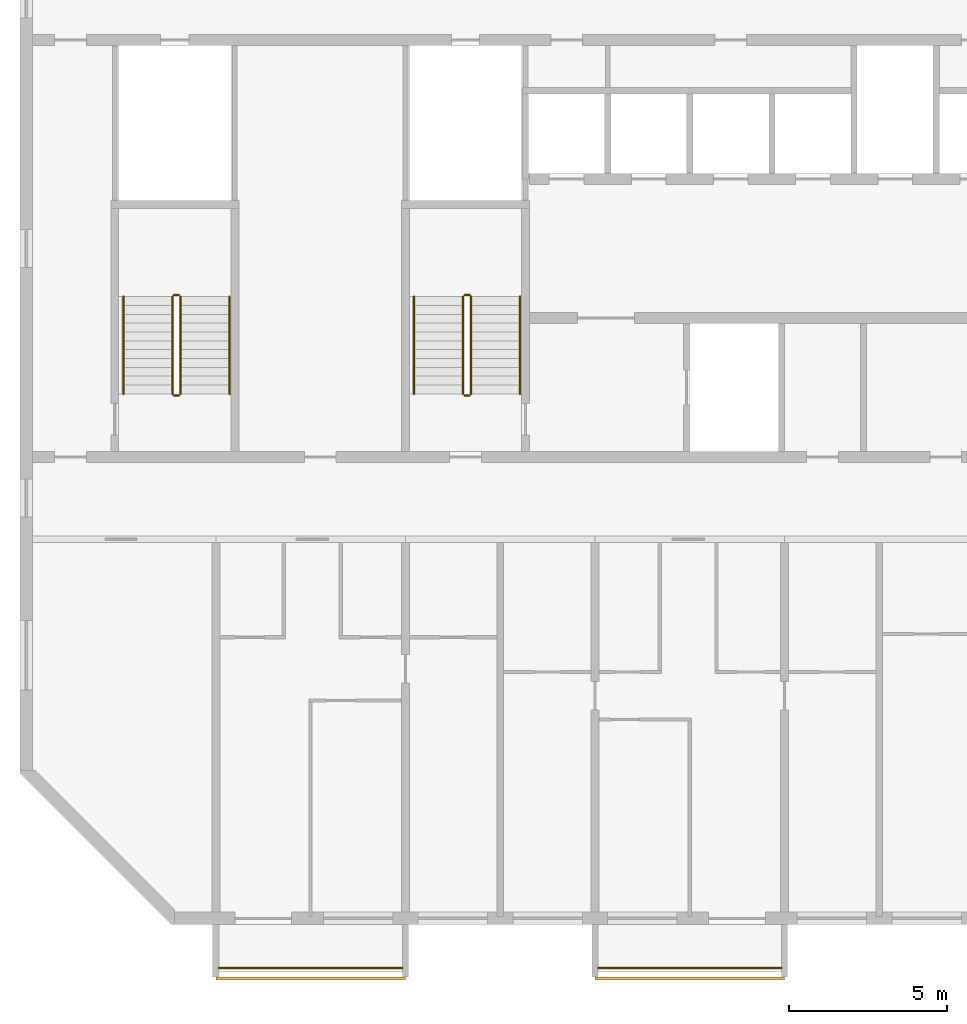
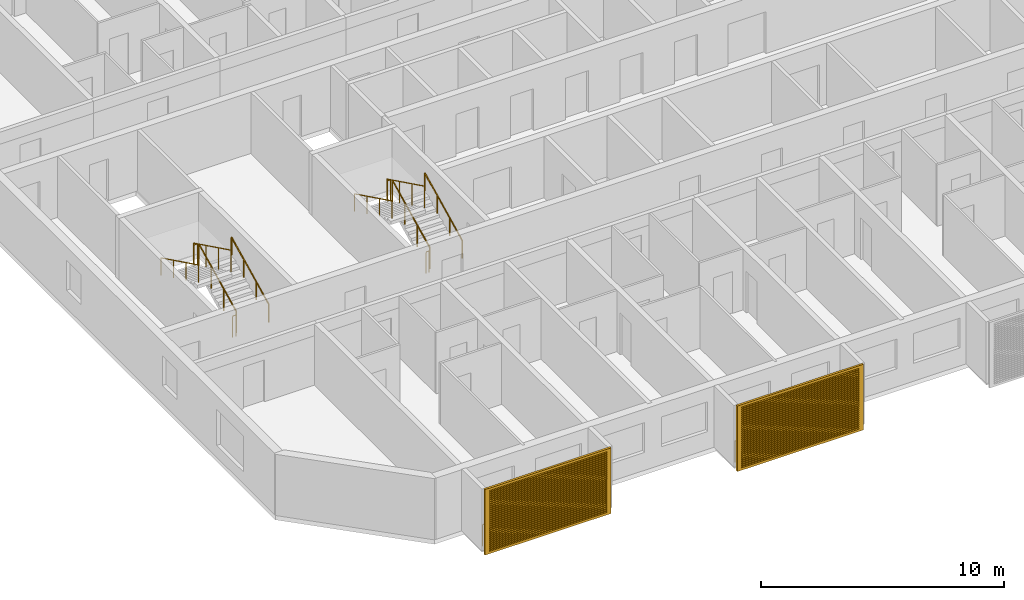
# One storey, part 13 of 29: 14 railings, 2 shading devices.
"""IFC4 building model written with IfcOpenShell, lengths in metres."""

from ifc_helpers import new_model, si_unit, direction, frame, origin, origin_2d, place, context, subcontext, project, spatial, polyline, circle, outline, extrude, source, transform, mapped, material, material_profile, profile_set, type_object, element, save


model = new_model("IFC4")

# Units and contexts
model_context = context("Model", 3, precision=1e-05, world=origin(), true_north=direction((0.0, 1.0)))
body_context = subcontext(model_context, "Body", "Model", "MODEL_VIEW")
ifc_project = project(units=[si_unit("LENGTHUNIT", "METRE"), si_unit("AREAUNIT", "SQUARE_METRE"), si_unit("VOLUMEUNIT", "CUBIC_METRE"), si_unit("PLANEANGLEUNIT", "RADIAN"), si_unit("MASSUNIT", "GRAM", prefix="KILO")], contexts=[model_context])

# Site, building, storey
site_placement = place(None, origin())
site = spatial("IfcSite", under=ifc_project, at=site_placement, CompositionType="ELEMENT")
building_placement = place(site_placement, origin())
building = spatial("IfcBuilding", under=site, at=building_placement, Name="Poui Terraces", CompositionType="ELEMENT")
storey_placement = place(building_placement, frame((0.0, 0.0, 231.300048828125)))
storey = spatial("IfcBuildingStorey", under=building, at=storey_placement, Name="L64", CompositionType="ELEMENT", Elevation=231.300048828125)

# Railings
ifc_material_1 = material(Name="Painted steel fretwork", Category="steel")
railing_type_1 = type_object("IfcRailingType", Name="BALCONY GUARD 1100", PredefinedType="GUARDRAIL", material=ifc_material_1)
for number, where, name in (
    (1, (24.10009765625, -1.570068359375, 0.0), "BALCONY GUARD"),
    (2, (36.10009765625, -1.570068359375, 0.0), "BALCONY GUARD"),
):
    element("IfcRailing", number, at=place(storey_placement, frame(where)), inside=storey, type_object=railing_type_1, Name=name, PredefinedType="GUARDRAIL", context=body_context, shape_type="SweptSolid", body=[
        extrude(circle(Radius=0.02392578125, at=origin_2d()), frame((0.0, 0.0, 1.076171875), z_axis=(1.0, 0.0, 0.0), x_axis=(0.0, 1.0, 0.0)), (0.0, 0.0, 1.0), 5.7998046875),
        extrude(circle(Radius=0.02099609375, at=origin_2d()), origin(), (0.0, 0.0, 1.0), 1.052001953125),
        extrude(circle(Radius=0.02099609375, at=origin_2d()), frame((0.966552734375, 0.0, 0.0)), (0.0, 0.0, 1.0), 1.052001953125),
        extrude(circle(Radius=0.02099609375, at=origin_2d()), frame((1.933349609375, 0.0, 0.0)), (0.0, 0.0, 1.0), 1.052001953125),
        extrude(circle(Radius=0.02099609375, at=origin_2d()), frame((2.89990234375, 0.0, 0.0)), (0.0, 0.0, 1.0), 1.052001953125),
        extrude(circle(Radius=0.02099609375, at=origin_2d()), frame((3.866455078125, 0.0, 0.0)), (0.0, 0.0, 1.0), 1.052001953125),
        extrude(circle(Radius=0.02099609375, at=origin_2d()), frame((4.833251953125, 0.0, 0.0)), (0.0, 0.0, 1.0), 1.052001953125),
        extrude(circle(Radius=0.02099609375, at=origin_2d()), frame((5.7998046875, 0.0, 0.0)), (0.0, 0.0, 1.0), 1.052001953125),
    ])
ifc_material_2 = material(Name="Galvanised steel balustrade", Category="steel")
railing_type_2 = type_object("IfcRailingType", Name="STAIR GUARD 1100", PredefinedType="GUARDRAIL", material=ifc_material_2)
railing_1_placement = place(storey_placement, frame((32.074951171875, 16.60009765625, 0.137451171875)))
element("IfcRailing", 3, at=railing_1_placement, inside=storey, type_object=railing_type_2, Name="L64 ST-CW stair guard 1", PredefinedType="GUARDRAIL", context=body_context, shape_type="SweptSolid", body=[
    extrude(circle(Radius=0.02392578125, at=origin_2d()), frame((0.0, 0.0, 1.076171875), z_axis=(0.0, 0.897606190399, 0.440798283751), x_axis=(-1.0, 0.0, 0.0)), (0.0, 0.0, 1.0), 3.43115234375),
    extrude(circle(Radius=0.02099609375, at=origin_2d()), origin(), (0.0, 0.0, 1.0), 1.052001953125),
    extrude(circle(Radius=0.02099609375, at=origin_2d()), frame((0.0, 1.026611328125, 0.504150390625)), (0.0, 0.0, 1.0), 1.052001953125),
    extrude(circle(Radius=0.02099609375, at=origin_2d()), frame((0.0, 2.05322265625, 1.00830078125)), (0.0, 0.0, 1.0), 1.052001953125),
    extrude(circle(Radius=0.02099609375, at=origin_2d()), frame((0.0, 3.079833984375, 1.512451171875)), (0.0, 0.0, 1.0), 1.052001953125),
])
railing_2_placement = place(storey_placement, frame((32.02490234375, 19.72998046875, 1.64990234375)))
element("IfcRailing", 4, at=railing_2_placement, inside=storey, type_object=railing_type_2, Name="L64 ST-CW stair guard 2", PredefinedType="GUARDRAIL", context=body_context, shape_type="SweptSolid", body=[
    extrude(circle(Radius=0.02392578125, at=origin_2d()), frame((0.0, 0.0, 1.076171875), z_axis=(-1.0, 0.0, 0.0), x_axis=(0.0, -1.0, 0.0)), (0.0, 0.0, 1.0), 0.14990234375),
    extrude(circle(Radius=0.02099609375, at=origin_2d()), origin(), (0.0, 0.0, 1.0), 1.052001953125),
    extrude(circle(Radius=0.02099609375, at=origin_2d()), frame((-0.14990234375, 0.0, 0.0)), (0.0, 0.0, 1.0), 1.052001953125),
])
railing_3_placement = place(storey_placement, frame((31.824951171875, 19.679931640625, 1.787353515625)))
element("IfcRailing", 5, at=railing_3_placement, inside=storey, type_object=railing_type_2, Name="L64 ST-CW stair guard 3", PredefinedType="GUARDRAIL", context=body_context, shape_type="SweptSolid", body=[
    extrude(circle(Radius=0.02392578125, at=origin_2d()), frame((0.0, 0.0, 1.076171875), z_axis=(0.0, -0.897578036475, 0.440855609512), x_axis=(1.0, 0.0, 0.0)), (0.0, 0.0, 1.0), 3.43115234375),
    extrude(circle(Radius=0.02099609375, at=origin_2d()), origin(), (0.0, 0.0, 1.0), 1.052001953125),
    extrude(circle(Radius=0.02099609375, at=origin_2d()), frame((0.0, -1.026611328125, 0.504150390625)), (0.0, 0.0, 1.0), 1.052001953125),
    extrude(circle(Radius=0.02099609375, at=origin_2d()), frame((0.0, -2.05322265625, 1.008544921875)), (0.0, 0.0, 1.0), 1.052001953125),
    extrude(circle(Radius=0.02099609375, at=origin_2d()), frame((0.0, -3.079833984375, 1.5126953125)), (0.0, 0.0, 1.0), 1.052001953125),
])
railing_4_placement = place(storey_placement, frame((32.02490234375, 16.550048828125, 0.0)))
element("IfcRailing", 6, at=railing_4_placement, inside=storey, type_object=railing_type_2, Name="L64 ST-CW stair guard 4", PredefinedType="GUARDRAIL", context=body_context, shape_type="SweptSolid", body=[
    extrude(circle(Radius=0.02392578125, at=origin_2d()), frame((0.0, 0.0, 1.076171875), z_axis=(-1.0, 0.0, 0.0), x_axis=(0.0, -1.0, 0.0)), (0.0, 0.0, 1.0), 0.14990234375),
    extrude(circle(Radius=0.02099609375, at=origin_2d()), origin(), (0.0, 0.0, 1.0), 1.052001953125),
    extrude(circle(Radius=0.02099609375, at=origin_2d()), frame((-0.14990234375, 0.0, 0.0)), (0.0, 0.0, 1.0), 1.052001953125),
])
railing_5_placement = place(storey_placement, frame((22.875, 16.60009765625, 0.137451171875)))
element("IfcRailing", 7, at=railing_5_placement, inside=storey, type_object=railing_type_2, Name="L64 ST-W stair guard 1", PredefinedType="GUARDRAIL", context=body_context, shape_type="SweptSolid", body=[
    extrude(circle(Radius=0.02392578125, at=origin_2d()), frame((0.0, 0.0, 1.076171875), z_axis=(0.0, 0.897606190399, 0.440798283751), x_axis=(-1.0, 0.0, 0.0)), (0.0, 0.0, 1.0), 3.43115234375),
    extrude(circle(Radius=0.02099609375, at=origin_2d()), origin(), (0.0, 0.0, 1.0), 1.052001953125),
    extrude(circle(Radius=0.02099609375, at=origin_2d()), frame((0.0, 1.026611328125, 0.504150390625)), (0.0, 0.0, 1.0), 1.052001953125),
    extrude(circle(Radius=0.02099609375, at=origin_2d()), frame((0.0, 2.05322265625, 1.00830078125)), (0.0, 0.0, 1.0), 1.052001953125),
    extrude(circle(Radius=0.02099609375, at=origin_2d()), frame((0.0, 3.079833984375, 1.512451171875)), (0.0, 0.0, 1.0), 1.052001953125),
])
railing_6_placement = place(storey_placement, frame((22.824951171875, 19.72998046875, 1.64990234375)))
element("IfcRailing", 8, at=railing_6_placement, inside=storey, type_object=railing_type_2, Name="L64 ST-W stair guard 2", PredefinedType="GUARDRAIL", context=body_context, shape_type="SweptSolid", body=[
    extrude(circle(Radius=0.02392578125, at=origin_2d()), frame((0.0, 0.0, 1.076171875), z_axis=(-1.0, 0.0, 0.0), x_axis=(0.0, -1.0, 0.0)), (0.0, 0.0, 1.0), 0.14990234375),
    extrude(circle(Radius=0.02099609375, at=origin_2d()), origin(), (0.0, 0.0, 1.0), 1.052001953125),
    extrude(circle(Radius=0.02099609375, at=origin_2d()), frame((-0.14990234375, 0.0, 0.0)), (0.0, 0.0, 1.0), 1.052001953125),
])
railing_7_placement = place(storey_placement, frame((22.625, 19.679931640625, 1.787353515625)))
element("IfcRailing", 9, at=railing_7_placement, inside=storey, type_object=railing_type_2, Name="L64 ST-W stair guard 3", PredefinedType="GUARDRAIL", context=body_context, shape_type="SweptSolid", body=[
    extrude(circle(Radius=0.02392578125, at=origin_2d()), frame((0.0, 0.0, 1.076171875), z_axis=(0.0, -0.897578036475, 0.440855609512), x_axis=(1.0, 0.0, 0.0)), (0.0, 0.0, 1.0), 3.43115234375),
    extrude(circle(Radius=0.02099609375, at=origin_2d()), origin(), (0.0, 0.0, 1.0), 1.052001953125),
    extrude(circle(Radius=0.02099609375, at=origin_2d()), frame((0.0, -1.026611328125, 0.504150390625)), (0.0, 0.0, 1.0), 1.052001953125),
    extrude(circle(Radius=0.02099609375, at=origin_2d()), frame((0.0, -2.05322265625, 1.008544921875)), (0.0, 0.0, 1.0), 1.052001953125),
    extrude(circle(Radius=0.02099609375, at=origin_2d()), frame((0.0, -3.079833984375, 1.5126953125)), (0.0, 0.0, 1.0), 1.052001953125),
])
railing_8_placement = place(storey_placement, frame((22.824951171875, 16.550048828125, 0.0)))
element("IfcRailing", 10, at=railing_8_placement, inside=storey, type_object=railing_type_2, Name="L64 ST-W stair guard 4", PredefinedType="GUARDRAIL", context=body_context, shape_type="SweptSolid", body=[
    extrude(circle(Radius=0.02392578125, at=origin_2d()), frame((0.0, 0.0, 1.076171875), z_axis=(-1.0, 0.0, 0.0), x_axis=(0.0, -1.0, 0.0)), (0.0, 0.0, 1.0), 0.14990234375),
    extrude(circle(Radius=0.02099609375, at=origin_2d()), origin(), (0.0, 0.0, 1.0), 1.052001953125),
    extrude(circle(Radius=0.02099609375, at=origin_2d()), frame((-0.14990234375, 0.0, 0.0)), (0.0, 0.0, 1.0), 1.052001953125),
])
ifc_material_3 = material(Name="Stainless steel handrail", Category="steel")
railing_type_3 = type_object("IfcRailingType", Name="STAIR HANDRAIL 900", PredefinedType="HANDRAIL", material=ifc_material_3)
railing_9_placement = place(storey_placement, frame((33.625, 16.60009765625, 0.137451171875)))
element("IfcRailing", 11, at=railing_9_placement, inside=storey, type_object=railing_type_3, Name="L64 ST-CW stair handrail 1", PredefinedType="HANDRAIL", context=body_context, shape_type="SweptSolid", body=[
    extrude(circle(Radius=0.02392578125, at=origin_2d()), frame((0.0, 0.0, 0.8759765625), z_axis=(0.0, 0.897606190399, 0.440798283751), x_axis=(-1.0, 0.0, 0.0)), (0.0, 0.0, 1.0), 3.43115234375),
    extrude(circle(Radius=0.02099609375, at=origin_2d()), origin(), (0.0, 0.0, 1.0), 0.851806640625),
    extrude(circle(Radius=0.02099609375, at=origin_2d()), frame((0.0, 1.026611328125, 0.504150390625)), (0.0, 0.0, 1.0), 0.851806640625),
    extrude(circle(Radius=0.02099609375, at=origin_2d()), frame((0.0, 2.05322265625, 1.00830078125)), (0.0, 0.0, 1.0), 0.851806640625),
    extrude(circle(Radius=0.02099609375, at=origin_2d()), frame((0.0, 3.079833984375, 1.512451171875)), (0.0, 0.0, 1.0), 0.851806640625),
])
railing_10_placement = place(storey_placement, frame((30.27490234375, 19.679931640625, 1.787353515625)))
element("IfcRailing", 12, at=railing_10_placement, inside=storey, type_object=railing_type_3, Name="L64 ST-CW stair handrail 2", PredefinedType="HANDRAIL", context=body_context, shape_type="SweptSolid", body=[
    extrude(circle(Radius=0.02392578125, at=origin_2d()), frame((0.0, 0.0, 0.8759765625), z_axis=(0.0, -0.897578036475, 0.440855609512), x_axis=(1.0, 0.0, 0.0)), (0.0, 0.0, 1.0), 3.43115234375),
    extrude(circle(Radius=0.02099609375, at=origin_2d()), origin(), (0.0, 0.0, 1.0), 0.851806640625),
    extrude(circle(Radius=0.02099609375, at=origin_2d()), frame((0.0, -1.026611328125, 0.504150390625)), (0.0, 0.0, 1.0), 0.851806640625),
    extrude(circle(Radius=0.02099609375, at=origin_2d()), frame((0.0, -2.05322265625, 1.008544921875)), (0.0, 0.0, 1.0), 0.851806640625),
    extrude(circle(Radius=0.02099609375, at=origin_2d()), frame((0.0, -3.079833984375, 1.5126953125)), (0.0, 0.0, 1.0), 0.851806640625),
])
railing_11_placement = place(storey_placement, frame((24.425048828125, 16.60009765625, 0.137451171875)))
element("IfcRailing", 13, at=railing_11_placement, inside=storey, type_object=railing_type_3, Name="L64 ST-W stair handrail 1", PredefinedType="HANDRAIL", context=body_context, shape_type="SweptSolid", body=[
    extrude(circle(Radius=0.02392578125, at=origin_2d()), frame((0.0, 0.0, 0.8759765625), z_axis=(0.0, 0.897606190399, 0.440798283751), x_axis=(-1.0, 0.0, 0.0)), (0.0, 0.0, 1.0), 3.43115234375),
    extrude(circle(Radius=0.02099609375, at=origin_2d()), origin(), (0.0, 0.0, 1.0), 0.851806640625),
    extrude(circle(Radius=0.02099609375, at=origin_2d()), frame((0.0, 1.026611328125, 0.504150390625)), (0.0, 0.0, 1.0), 0.851806640625),
    extrude(circle(Radius=0.02099609375, at=origin_2d()), frame((0.0, 2.05322265625, 1.00830078125)), (0.0, 0.0, 1.0), 0.851806640625),
    extrude(circle(Radius=0.02099609375, at=origin_2d()), frame((0.0, 3.079833984375, 1.512451171875)), (0.0, 0.0, 1.0), 0.851806640625),
])
railing_12_placement = place(storey_placement, frame((21.074951171875, 19.679931640625, 1.787353515625)))
element("IfcRailing", 14, at=railing_12_placement, inside=storey, type_object=railing_type_3, Name="L64 ST-W stair handrail 2", PredefinedType="HANDRAIL", context=body_context, shape_type="SweptSolid", body=[
    extrude(circle(Radius=0.02392578125, at=origin_2d()), frame((0.0, 0.0, 0.8759765625), z_axis=(0.0, -0.897578036475, 0.440855609512), x_axis=(1.0, 0.0, 0.0)), (0.0, 0.0, 1.0), 3.43115234375),
    extrude(circle(Radius=0.02099609375, at=origin_2d()), origin(), (0.0, 0.0, 1.0), 0.851806640625),
    extrude(circle(Radius=0.02099609375, at=origin_2d()), frame((0.0, -1.026611328125, 0.504150390625)), (0.0, 0.0, 1.0), 0.851806640625),
    extrude(circle(Radius=0.02099609375, at=origin_2d()), frame((0.0, -2.05322265625, 1.008544921875)), (0.0, 0.0, 1.0), 0.851806640625),
    extrude(circle(Radius=0.02099609375, at=origin_2d()), frame((0.0, -3.079833984375, 1.5126953125)), (0.0, 0.0, 1.0), 0.851806640625),
])

# Shading devices
ifc_material_4 = material(Name="Aluminium louvre", Category="aluminium")
ifc_material_profile = material_profile(ifc_material_4, outline(polyline([(-3.0, -1.64990234375), (3.0, -1.64990234375), (3.0, 1.64990234375), (-3.0, 1.64990234375), (-3.0, -1.64990234375)]), holes=[polyline([(-2.800048828125, -1.530029296875), (2.800048828125, -1.530029296875), (2.800048828125, -1.469970703125), (-2.800048828125, -1.469970703125), (-2.800048828125, -1.530029296875)]), polyline([(-2.800048828125, -1.429931640625), (2.800048828125, -1.429931640625), (2.800048828125, -1.3701171875), (-2.800048828125, -1.3701171875), (-2.800048828125, -1.429931640625)]), polyline([(-2.800048828125, -1.330078125), (2.800048828125, -1.330078125), (2.800048828125, -1.27001953125), (-2.800048828125, -1.27001953125), (-2.800048828125, -1.330078125)]), polyline([(-2.800048828125, -1.22998046875), (2.800048828125, -1.22998046875), (2.800048828125, -1.169921875), (-2.800048828125, -1.169921875), (-2.800048828125, -1.22998046875)]), polyline([(-2.800048828125, -1.1298828125), (2.800048828125, -1.1298828125), (2.800048828125, -1.070068359375), (-2.800048828125, -1.070068359375), (-2.800048828125, -1.1298828125)]), polyline([(-2.800048828125, -1.030029296875), (2.800048828125, -1.030029296875), (2.800048828125, -0.969970703125), (-2.800048828125, -0.969970703125), (-2.800048828125, -1.030029296875)]), polyline([(-2.800048828125, -0.929931640625), (2.800048828125, -0.929931640625), (2.800048828125, -0.8701171875), (-2.800048828125, -0.8701171875), (-2.800048828125, -0.929931640625)]), polyline([(-2.800048828125, -0.830078125), (2.800048828125, -0.830078125), (2.800048828125, -0.77001953125), (-2.800048828125, -0.77001953125), (-2.800048828125, -0.830078125)]), polyline([(-2.800048828125, -0.72998046875), (2.800048828125, -0.72998046875), (2.800048828125, -0.669921875), (-2.800048828125, -0.669921875), (-2.800048828125, -0.72998046875)]), polyline([(-2.800048828125, -0.6298828125), (2.800048828125, -0.6298828125), (2.800048828125, -0.570068359375), (-2.800048828125, -0.570068359375), (-2.800048828125, -0.6298828125)]), polyline([(-2.800048828125, -0.530029296875), (2.800048828125, -0.530029296875), (2.800048828125, -0.469970703125), (-2.800048828125, -0.469970703125), (-2.800048828125, -0.530029296875)]), polyline([(-2.800048828125, -0.429931640625), (2.800048828125, -0.429931640625), (2.800048828125, -0.3701171875), (-2.800048828125, -0.3701171875), (-2.800048828125, -0.429931640625)]), polyline([(-2.800048828125, -0.330078125), (2.800048828125, -0.330078125), (2.800048828125, -0.27001953125), (-2.800048828125, -0.27001953125), (-2.800048828125, -0.330078125)]), polyline([(-2.800048828125, -0.22998046875), (2.800048828125, -0.22998046875), (2.800048828125, -0.169921875), (-2.800048828125, -0.169921875), (-2.800048828125, -0.22998046875)]), polyline([(-2.800048828125, -0.1298828125), (2.800048828125, -0.1298828125), (2.800048828125, -0.070068359375), (-2.800048828125, -0.070068359375), (-2.800048828125, -0.1298828125)]), polyline([(-2.800048828125, -0.030029296875), (2.800048828125, -0.030029296875), (2.800048828125, 0.030029296875), (-2.800048828125, 0.030029296875), (-2.800048828125, -0.030029296875)]), polyline([(-2.800048828125, 0.070068359375), (2.800048828125, 0.070068359375), (2.800048828125, 0.1298828125), (-2.800048828125, 0.1298828125), (-2.800048828125, 0.070068359375)]), polyline([(-2.800048828125, 0.169921875), (2.800048828125, 0.169921875), (2.800048828125, 0.22998046875), (-2.800048828125, 0.22998046875), (-2.800048828125, 0.169921875)]), polyline([(-2.800048828125, 0.27001953125), (2.800048828125, 0.27001953125), (2.800048828125, 0.330078125), (-2.800048828125, 0.330078125), (-2.800048828125, 0.27001953125)]), polyline([(-2.800048828125, 0.3701171875), (2.800048828125, 0.3701171875), (2.800048828125, 0.429931640625), (-2.800048828125, 0.429931640625), (-2.800048828125, 0.3701171875)]), polyline([(-2.800048828125, 0.469970703125), (2.800048828125, 0.469970703125), (2.800048828125, 0.530029296875), (-2.800048828125, 0.530029296875), (-2.800048828125, 0.469970703125)]), polyline([(-2.800048828125, 0.570068359375), (2.800048828125, 0.570068359375), (2.800048828125, 0.6298828125), (-2.800048828125, 0.6298828125), (-2.800048828125, 0.570068359375)]), polyline([(-2.800048828125, 0.669921875), (2.800048828125, 0.669921875), (2.800048828125, 0.72998046875), (-2.800048828125, 0.72998046875), (-2.800048828125, 0.669921875)]), polyline([(-2.800048828125, 0.77001953125), (2.800048828125, 0.77001953125), (2.800048828125, 0.830078125), (-2.800048828125, 0.830078125), (-2.800048828125, 0.77001953125)]), polyline([(-2.800048828125, 0.8701171875), (2.800048828125, 0.8701171875), (2.800048828125, 0.929931640625), (-2.800048828125, 0.929931640625), (-2.800048828125, 0.8701171875)]), polyline([(-2.800048828125, 0.969970703125), (2.800048828125, 0.969970703125), (2.800048828125, 1.030029296875), (-2.800048828125, 1.030029296875), (-2.800048828125, 0.969970703125)]), polyline([(-2.800048828125, 1.070068359375), (2.800048828125, 1.070068359375), (2.800048828125, 1.1298828125), (-2.800048828125, 1.1298828125), (-2.800048828125, 1.070068359375)]), polyline([(-2.800048828125, 1.169921875), (2.800048828125, 1.169921875), (2.800048828125, 1.22998046875), (-2.800048828125, 1.22998046875), (-2.800048828125, 1.169921875)]), polyline([(-2.800048828125, 1.27001953125), (2.800048828125, 1.27001953125), (2.800048828125, 1.330078125), (-2.800048828125, 1.330078125), (-2.800048828125, 1.27001953125)]), polyline([(-2.800048828125, 1.3701171875), (2.800048828125, 1.3701171875), (2.800048828125, 1.429931640625), (-2.800048828125, 1.429931640625), (-2.800048828125, 1.3701171875)]), polyline([(-2.800048828125, 1.469970703125), (2.800048828125, 1.469970703125), (2.800048828125, 1.530029296875), (-2.800048828125, 1.530029296875), (-2.800048828125, 1.469970703125)])]), Name="JALOUSIE LOUVRE SHUTTER 6000X3300")
ifc_profile_set = profile_set([ifc_material_profile], Name="Aluminium louvre")
shading_device_type = type_object("IfcShadingDeviceType", Name="JALOUSIE LOUVRE SHUTTER 6000X3300", PredefinedType="JALOUSIE", material=ifc_profile_set)
shared_shape = source(origin(), body_context, "Body", "SweptSolid", [
    extrude(outline(polyline([(-3.0, -1.64990234375), (3.0, -1.64990234375), (3.0, 1.64990234375), (-3.0, 1.64990234375), (-3.0, -1.64990234375)]), holes=[polyline([(-2.800048828125, -1.530029296875), (2.800048828125, -1.530029296875), (2.800048828125, -1.469970703125), (-2.800048828125, -1.469970703125), (-2.800048828125, -1.530029296875)]), polyline([(-2.800048828125, -1.429931640625), (2.800048828125, -1.429931640625), (2.800048828125, -1.3701171875), (-2.800048828125, -1.3701171875), (-2.800048828125, -1.429931640625)]), polyline([(-2.800048828125, -1.330078125), (2.800048828125, -1.330078125), (2.800048828125, -1.27001953125), (-2.800048828125, -1.27001953125), (-2.800048828125, -1.330078125)]), polyline([(-2.800048828125, -1.22998046875), (2.800048828125, -1.22998046875), (2.800048828125, -1.169921875), (-2.800048828125, -1.169921875), (-2.800048828125, -1.22998046875)]), polyline([(-2.800048828125, -1.1298828125), (2.800048828125, -1.1298828125), (2.800048828125, -1.070068359375), (-2.800048828125, -1.070068359375), (-2.800048828125, -1.1298828125)]), polyline([(-2.800048828125, -1.030029296875), (2.800048828125, -1.030029296875), (2.800048828125, -0.969970703125), (-2.800048828125, -0.969970703125), (-2.800048828125, -1.030029296875)]), polyline([(-2.800048828125, -0.929931640625), (2.800048828125, -0.929931640625), (2.800048828125, -0.8701171875), (-2.800048828125, -0.8701171875), (-2.800048828125, -0.929931640625)]), polyline([(-2.800048828125, -0.830078125), (2.800048828125, -0.830078125), (2.800048828125, -0.77001953125), (-2.800048828125, -0.77001953125), (-2.800048828125, -0.830078125)]), polyline([(-2.800048828125, -0.72998046875), (2.800048828125, -0.72998046875), (2.800048828125, -0.669921875), (-2.800048828125, -0.669921875), (-2.800048828125, -0.72998046875)]), polyline([(-2.800048828125, -0.6298828125), (2.800048828125, -0.6298828125), (2.800048828125, -0.570068359375), (-2.800048828125, -0.570068359375), (-2.800048828125, -0.6298828125)]), polyline([(-2.800048828125, -0.530029296875), (2.800048828125, -0.530029296875), (2.800048828125, -0.469970703125), (-2.800048828125, -0.469970703125), (-2.800048828125, -0.530029296875)]), polyline([(-2.800048828125, -0.429931640625), (2.800048828125, -0.429931640625), (2.800048828125, -0.3701171875), (-2.800048828125, -0.3701171875), (-2.800048828125, -0.429931640625)]), polyline([(-2.800048828125, -0.330078125), (2.800048828125, -0.330078125), (2.800048828125, -0.27001953125), (-2.800048828125, -0.27001953125), (-2.800048828125, -0.330078125)]), polyline([(-2.800048828125, -0.22998046875), (2.800048828125, -0.22998046875), (2.800048828125, -0.169921875), (-2.800048828125, -0.169921875), (-2.800048828125, -0.22998046875)]), polyline([(-2.800048828125, -0.1298828125), (2.800048828125, -0.1298828125), (2.800048828125, -0.070068359375), (-2.800048828125, -0.070068359375), (-2.800048828125, -0.1298828125)]), polyline([(-2.800048828125, -0.030029296875), (2.800048828125, -0.030029296875), (2.800048828125, 0.030029296875), (-2.800048828125, 0.030029296875), (-2.800048828125, -0.030029296875)]), polyline([(-2.800048828125, 0.070068359375), (2.800048828125, 0.070068359375), (2.800048828125, 0.1298828125), (-2.800048828125, 0.1298828125), (-2.800048828125, 0.070068359375)]), polyline([(-2.800048828125, 0.169921875), (2.800048828125, 0.169921875), (2.800048828125, 0.22998046875), (-2.800048828125, 0.22998046875), (-2.800048828125, 0.169921875)]), polyline([(-2.800048828125, 0.27001953125), (2.800048828125, 0.27001953125), (2.800048828125, 0.330078125), (-2.800048828125, 0.330078125), (-2.800048828125, 0.27001953125)]), polyline([(-2.800048828125, 0.3701171875), (2.800048828125, 0.3701171875), (2.800048828125, 0.429931640625), (-2.800048828125, 0.429931640625), (-2.800048828125, 0.3701171875)]), polyline([(-2.800048828125, 0.469970703125), (2.800048828125, 0.469970703125), (2.800048828125, 0.530029296875), (-2.800048828125, 0.530029296875), (-2.800048828125, 0.469970703125)]), polyline([(-2.800048828125, 0.570068359375), (2.800048828125, 0.570068359375), (2.800048828125, 0.6298828125), (-2.800048828125, 0.6298828125), (-2.800048828125, 0.570068359375)]), polyline([(-2.800048828125, 0.669921875), (2.800048828125, 0.669921875), (2.800048828125, 0.72998046875), (-2.800048828125, 0.72998046875), (-2.800048828125, 0.669921875)]), polyline([(-2.800048828125, 0.77001953125), (2.800048828125, 0.77001953125), (2.800048828125, 0.830078125), (-2.800048828125, 0.830078125), (-2.800048828125, 0.77001953125)]), polyline([(-2.800048828125, 0.8701171875), (2.800048828125, 0.8701171875), (2.800048828125, 0.929931640625), (-2.800048828125, 0.929931640625), (-2.800048828125, 0.8701171875)]), polyline([(-2.800048828125, 0.969970703125), (2.800048828125, 0.969970703125), (2.800048828125, 1.030029296875), (-2.800048828125, 1.030029296875), (-2.800048828125, 0.969970703125)]), polyline([(-2.800048828125, 1.070068359375), (2.800048828125, 1.070068359375), (2.800048828125, 1.1298828125), (-2.800048828125, 1.1298828125), (-2.800048828125, 1.070068359375)]), polyline([(-2.800048828125, 1.169921875), (2.800048828125, 1.169921875), (2.800048828125, 1.22998046875), (-2.800048828125, 1.22998046875), (-2.800048828125, 1.169921875)]), polyline([(-2.800048828125, 1.27001953125), (2.800048828125, 1.27001953125), (2.800048828125, 1.330078125), (-2.800048828125, 1.330078125), (-2.800048828125, 1.27001953125)]), polyline([(-2.800048828125, 1.3701171875), (2.800048828125, 1.3701171875), (2.800048828125, 1.429931640625), (-2.800048828125, 1.429931640625), (-2.800048828125, 1.3701171875)]), polyline([(-2.800048828125, 1.469970703125), (2.800048828125, 1.469970703125), (2.800048828125, 1.530029296875), (-2.800048828125, 1.530029296875), (-2.800048828125, 1.469970703125)])]), origin(), (0.0, 0.0, 1.0), 0.099853515625),
])
for number, where, z_axis, x_axis, name in (
    (15, (27.0, -1.85009765625, 1.449951171875), (0.0, -1.0, 0.0), (1.0, 0.0, 0.0), "JALOUSIE LOUVRE SHUTTER"),
    (16, (39.0, -1.85009765625, 1.449951171875), (0.0, -1.0, 0.0), (1.0, 0.0, 0.0), "JALOUSIE LOUVRE SHUTTER"),
):
    element("IfcShadingDevice", number, at=place(storey_placement, frame(where, z_axis=z_axis, x_axis=x_axis)), inside=storey, type_object=shading_device_type, Name=name, PredefinedType="JALOUSIE", context=body_context, shape_type="MappedRepresentation", body=[
        mapped(shared_shape, transform((0.0, 0.0, 0.0))),
    ])

save(model, "model.ifc")
